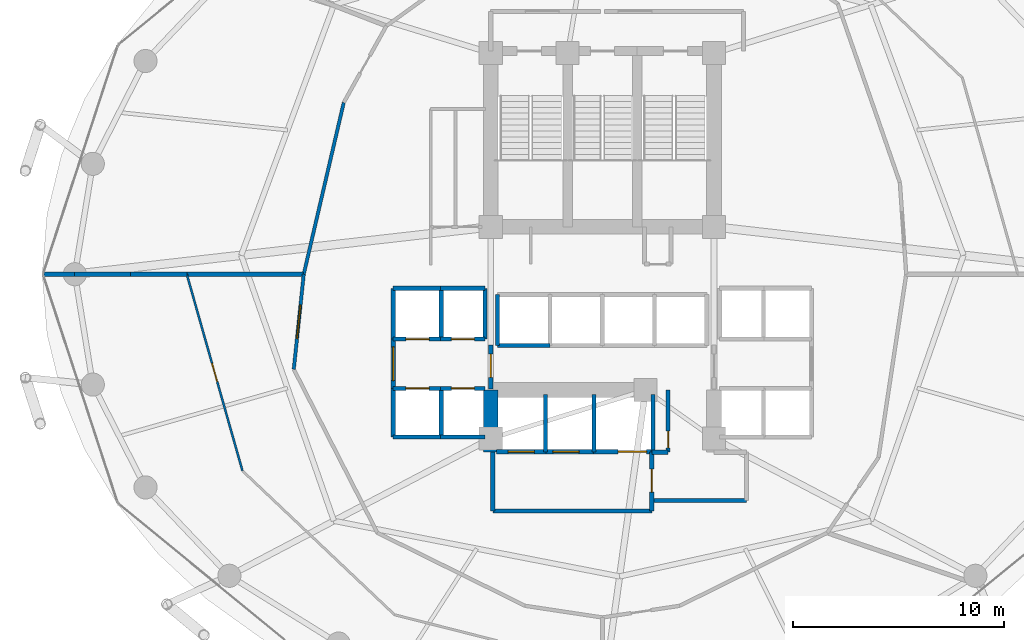
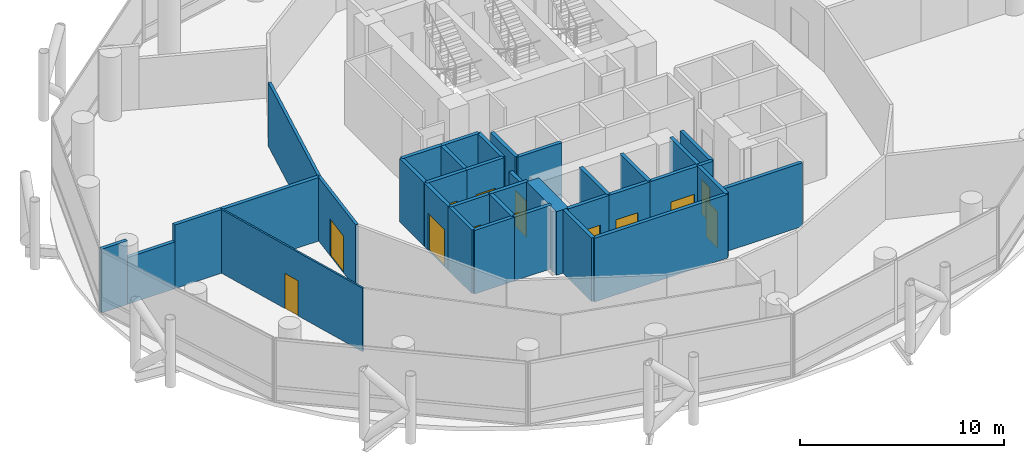
# One storey, part 21 of 24: 37 walls, 13 doors, 13 openings.
"""IFC4 building model written with IfcOpenShell, lengths in metres."""

import ifcopenshell
import ifcopenshell.guid

model = None  # the IFC model being written
_history = None  # IfcOwnerHistory: only IFC2X3 demands one
_inside = {}  # id of a spatial element -> (the spatial element, [elements in it])
_under = {}  # id of a project, library or spatial element -> (it, [spatial elements below it])
_declared = {}  # id of a project -> (the project, [libraries it declares])
_typed = {}  # id of a type object -> (the type object, [elements of that type])
_made_of = {}  # id of a material, layer set ... -> (it, [elements and type objects made of it])


def new_model(schema):
    """Start an empty IFC model of exactly this schema.

    Asked for "IFC4X3", IfcOpenShell would pick the latest addendum, in which some entities
    have other attributes; the version numbers below select the first issue.
    IFC2X3 requires an IfcOwnerHistory on every rooted entity: one is made here for all.
    """
    global model, _history
    if schema == "IFC4X3":
        model = ifcopenshell.file(schema_version=(4, 3, 0, 0))
    else:
        model = ifcopenshell.file(schema=schema)
    _inside.clear()
    _under.clear()
    _declared.clear()
    _typed.clear()
    _made_of.clear()
    _history = None
    if model.schema == "IFC2X3":
        org = make("IfcOrganization", Name="unknown")
        user = make(
            "IfcPersonAndOrganization",
            ThePerson=make("IfcPerson", FamilyName="unknown"),
            TheOrganization=org,
        )
        app = make(
            "IfcApplication",
            ApplicationDeveloper=org,
            Version="unknown",
            ApplicationFullName="unknown",
            ApplicationIdentifier="unknown",
        )
        _history = make(
            "IfcOwnerHistory",
            OwningUser=user,
            OwningApplication=app,
            ChangeAction="ADDED",
            CreationDate=0,
        )
    return model


def make(cls, **values):
    """One entity of the class cls with the attributes given. An attribute that is None is left unset."""
    return model.create_entity(
        cls, **{name: value for name, value in values.items() if value is not None}
    )


def rooted(cls, **values):
    """An entity with a GlobalId (a new one), such as an element, a storey or a relation."""
    return make(cls, GlobalId=ifcopenshell.guid.new(), OwnerHistory=_history, **values)


def si_unit(unit_type, name, prefix=None):
    """IfcSIUnit, for example si_unit("LENGTHUNIT", "METRE", prefix="MILLI")."""
    return make("IfcSIUnit", UnitType=unit_type, Prefix=prefix, Name=name)


def assignment(units):
    """IfcUnitAssignment: the units of a project."""
    return None if units is None else make("IfcUnitAssignment", Units=units)


def point(xyz):
    """IfcCartesianPoint."""
    return None if xyz is None else make("IfcCartesianPoint", Coordinates=xyz)


def direction(xyz):
    """IfcDirection."""
    return None if xyz is None else make("IfcDirection", DirectionRatios=xyz)


def frame(location, z_axis=None, x_axis=None):
    """IfcAxis2Placement3D, a coordinate frame: its origin and axes. An axis left out is left unset."""
    return make(
        "IfcAxis2Placement3D",
        Location=point(location),
        Axis=direction(z_axis),
        RefDirection=direction(x_axis),
    )


def frame_2d(location, x_axis=None):
    """IfcAxis2Placement2D, a coordinate frame in the plane: its origin and x axis."""
    return make(
        "IfcAxis2Placement2D", Location=point(location), RefDirection=direction(x_axis)
    )


def origin():
    """The frame at (0, 0, 0) with its axes left unset."""
    return frame((0.0, 0.0, 0.0))


def place(relative_to, where):
    """IfcLocalPlacement: puts the frame where relative to a parent placement (None: the world)."""
    return make(
        "IfcLocalPlacement", PlacementRelTo=relative_to, RelativePlacement=where
    )


def context(
    kind, dimensions, precision=None, world=None, true_north=None, identifier=None
):
    """IfcGeometricRepresentationContext, for example the 3D "Model" context."""
    return make(
        "IfcGeometricRepresentationContext",
        ContextIdentifier=identifier,
        ContextType=kind,
        CoordinateSpaceDimension=dimensions,
        Precision=precision,
        WorldCoordinateSystem=world,
        TrueNorth=true_north,
    )


def subcontext(parent, identifier, kind, view, scale=None):
    """IfcGeometricRepresentationSubContext, for example "Body" below "Model"."""
    return make(
        "IfcGeometricRepresentationSubContext",
        ContextIdentifier=identifier,
        ContextType=kind,
        ParentContext=parent,
        TargetScale=scale,
        TargetView=view,
    )


def project(units=None, contexts=None):
    """IfcProject with its units and contexts."""
    return rooted(
        "IfcProject",
        Name="project",
        RepresentationContexts=contexts,
        UnitsInContext=assignment(units),
    )


def spatial(cls, under=None, at=None, **own):
    """A site, building, storey or space (cls), placed at a placement, below another one or the project."""
    s = rooted(cls, ObjectPlacement=at, **own)
    if under is not None:
        _under.setdefault(under.id(), (under, []))[1].append(s)
    return s


def profile(cls, at=None, kind="AREA", **sizes):
    """A parametric profile (cls). Its sizes go by their IFC names, for example OverallWidth=200.0."""
    return make(cls, ProfileType=kind, Position=at, **sizes)


def rectangle(**sizes):
    """IfcRectangleProfileDef."""
    return profile("IfcRectangleProfileDef", **sizes)


def extrude(swept, where, along, depth):
    """IfcExtrudedAreaSolid: the profile swept, set in the frame where, extruded along a direction by depth."""
    return make(
        "IfcExtrudedAreaSolid",
        SweptArea=swept,
        Position=where,
        ExtrudedDirection=direction(along),
        Depth=depth,
    )


def shape(context_of_items, identifier, shape_type, items):
    """IfcShapeRepresentation: the items that make up one representation, for example the "Body"."""
    return make(
        "IfcShapeRepresentation",
        ContextOfItems=context_of_items,
        RepresentationIdentifier=identifier,
        RepresentationType=shape_type,
        Items=items,
    )


def material(Name=None, Category=None):
    """IfcMaterial."""
    return make("IfcMaterial", Name=Name, Category=Category)


def layer(
    of_material, thickness, ventilated=None, Name=None, Category=None, Priority=None
):
    """IfcMaterialLayer: one layer of a wall or slab, of a material (None: an air gap)."""
    return make(
        "IfcMaterialLayer",
        Material=of_material,
        LayerThickness=thickness,
        IsVentilated=ventilated,
        Name=Name,
        Category=Category,
        Priority=Priority,
    )


def layer_set(layers, Name=None):
    """IfcMaterialLayerSet."""
    return make("IfcMaterialLayerSet", MaterialLayers=layers, LayerSetName=Name)


def made_of(thing, what):
    """Note that an element or type object is made of a material, layer set ...; save() writes the relation."""
    if what is not None:
        _made_of.setdefault(what.id(), (what, []))[1].append(thing)
    return thing


def type_object(cls, material=None, **own):
    """A type object (cls), such as IfcWallType, which elements share."""
    return made_of(rooted(cls, **own), material)


def element(
    cls,
    number,
    at=None,
    inside=None,
    cuts=None,
    type_object=None,
    material=None,
    context=None,
    identifier="Body",
    shape_type=None,
    held_by="IfcProductDefinitionShape",
    body=None,
    shapes=None,
    **own,
):
    """One element of the class cls, such as IfcWall. Its Tag is "e" and its number.

    at: its placement. inside: the storey or other place that contains it. cuts: it is an
    opening in that element (IfcRelVoidsElement). A single representation is given by context,
    identifier, shape_type and body (its items); several are given by shapes. held_by: the class
    of the entity that holds the representations. save() writes the other relations.
    """
    e = rooted(cls, Tag="e%d" % number, ObjectPlacement=at, **own)
    if body is not None:
        shapes = [shape(context, identifier, shape_type, body)]
    if shapes is not None:
        e.Representation = make(held_by, Representations=shapes)
    if inside is not None:
        _inside.setdefault(inside.id(), (inside, []))[1].append(e)
    if cuts is not None:
        rooted(
            "IfcRelVoidsElement", RelatingBuildingElement=cuts, RelatedOpeningElement=e
        )
    if type_object is not None:
        _typed.setdefault(type_object.id(), (type_object, []))[1].append(e)
    return made_of(e, material)


def fill(opening, filler):
    """IfcRelFillsElement: the door or window that sits in an opening."""
    return rooted(
        "IfcRelFillsElement",
        RelatingOpeningElement=opening,
        RelatedBuildingElement=filler,
    )


def aggregate(whole, parts):
    """IfcRelAggregates: a whole, such as a stair, and the parts it consists of."""
    return rooted("IfcRelAggregates", RelatingObject=whole, RelatedObjects=parts)


def save(model, path):
    """Write the relations noted so far, then the file.

    IfcRelAggregates (storeys below a building ...), IfcRelContainedInSpatialStructure (elements
    in a storey), IfcRelDefinesByType, IfcRelAssociatesMaterial and IfcRelDeclares: one each for
    every whole, place, type object, material and project.
    """
    for whole, parts in _under.values():
        aggregate(whole, parts)
    for where, things in _inside.values():
        rooted(
            "IfcRelContainedInSpatialStructure",
            RelatedElements=things,
            RelatingStructure=where,
        )
    for kind, things in _typed.values():
        rooted("IfcRelDefinesByType", RelatedObjects=things, RelatingType=kind)
    for what, things in _made_of.values():
        rooted("IfcRelAssociatesMaterial", RelatedObjects=things, RelatingMaterial=what)
    for by, libraries in _declared.values():
        rooted("IfcRelDeclares", RelatingContext=by, RelatedDefinitions=libraries)
    model.write(path)


model = new_model("IFC4")

# Units and contexts
model_context = context("Model", 3, precision=1e-05, world=origin(), true_north=direction((0.0, 1.0)))
body_context = subcontext(model_context, "Body", "Model", "MODEL_VIEW")
ifc_project = project(units=[si_unit("LENGTHUNIT", "METRE"), si_unit("AREAUNIT", "SQUARE_METRE"), si_unit("VOLUMEUNIT", "CUBIC_METRE"), si_unit("PLANEANGLEUNIT", "RADIAN"), si_unit("MASSUNIT", "GRAM", prefix="KILO")], contexts=[model_context])

# Site, building, storey
site_placement = place(None, origin())
site = spatial("IfcSite", under=ifc_project, at=site_placement, CompositionType="ELEMENT")
building_placement = place(site_placement, origin())
building = spatial("IfcBuilding", under=site, at=building_placement, Name="Nuhasar Tower", CompositionType="ELEMENT")
storey_placement = place(building_placement, frame((0.0, 0.0, 73.64990234375)))
storey = spatial("IfcBuildingStorey", under=building, at=storey_placement, Name="L17", CompositionType="ELEMENT", Elevation=73.64990234375)

# Walls
ifc_material_1 = material(Name="Concrete C65/80", Category="concrete")
ifc_layer_1 = layer(ifc_material_1, 0.699951171875)
ifc_layer_set_1 = layer_set([ifc_layer_1], Name="Concrete C65/80")
wall_type_1 = type_object("IfcWallType", Name="WL-CORE-700", PredefinedType="SHEAR", material=ifc_layer_set_1)
wall_1_placement = place(storey_placement, frame((33.699951171875, 18.35009765625, 0.0), z_axis=(0.0, 0.0, 1.0), x_axis=(0.0, 1.0, 0.0)))
element("IfcWall", 1, at=wall_1_placement, inside=storey, type_object=wall_type_1, Name="L17 Core Shear Wall CW-SW CW-700", PredefinedType="SHEAR", context=body_context, shape_type="SweptSolid", body=[
    extrude(rectangle(XDim=2.949951171875, YDim=0.699951171875, at=frame_2d((1.47509765625, 0.0))), origin(), (0.0, 0.0, 1.0), 3.800048828125),
])
ifc_material_2 = material(Name="Gypsum Board", Category="gypsum")
ifc_layer_2 = layer(ifc_material_2, 0.159912109375)
ifc_layer_set_2 = layer_set([ifc_layer_2], Name="Gypsum Board")
wall_type_2 = type_object("IfcWallType", Name="WL-CORR-160", PredefinedType="PARTITIONING", material=ifc_layer_set_2)
wall_2_placement = place(storey_placement, frame((26.719970703125, 34.949951171875, 0.0), z_axis=(0.0, 0.0, 1.0), x_axis=(-0.227032248212, -0.973887241046, 0.0)))
element("IfcWall", 2, at=wall_2_placement, inside=storey, type_object=wall_type_2, Name="L17 Interior Partition CORR-20", PredefinedType="PARTITIONING", context=body_context, shape_type="SweptSolid", body=[
    extrude(rectangle(XDim=8.368408203125, YDim=0.159912109375, at=frame_2d((4.18408203125, 0.0))), origin(), (0.0, 0.0, 1.0), 3.800048828125),
])

# Wall, opening, door
wall_3_placement = place(storey_placement, frame((24.346923828125, 22.287109375, 0.0), z_axis=(0.0, 0.0, 1.0), x_axis=(0.10427027099, 0.994548998586, 0.0)))
wall_3 = element("IfcWall", 3, at=wall_3_placement, inside=storey, type_object=wall_type_2, Name="L17 Interior Partition CORR-24", PredefinedType="PARTITIONING", context=body_context, shape_type="SweptSolid", body=[
    extrude(rectangle(XDim=4.53759765625, YDim=0.159912109375, at=frame_2d((2.268798828125, 0.0))), origin(), (0.0, 0.0, 1.0), 3.800048828125),
])
opening_1_placement = place(wall_3_placement, frame((1.468994140625, 0.0, 0.0)))
opening_1 = element("IfcOpeningElement", 4, at=opening_1_placement, cuts=wall_3, Name="Opening DC-01", PredefinedType="OPENING", context=body_context, shape_type="SweptSolid", body=[
    extrude(rectangle(XDim=1.60009765625, YDim=2.199951171875, at=frame_2d((0.800048828125, 1.10009765625))), frame((0.0, 0.08984375, 0.0), z_axis=(0.0, -1.0, 0.0), x_axis=(1.0, 0.0, 0.0)), (0.0, 0.0, 1.0), 0.179931640625),
])
ifc_material_3 = material(Name="Steel S355", Category="steel")
door_type_1 = type_object("IfcDoorType", Name="DR-CORR-FD60-1600", OperationType="DOUBLE_DOOR_SINGLE_SWING", PredefinedType="DOOR", material=ifc_material_3)
door_1_placement = place(opening_1_placement, origin())
door_1 = element("IfcDoor", 5, at=door_1_placement, inside=storey, type_object=door_type_1, Name="L17 West Software Engineering Office Entry Door", OperationType="DOUBLE_DOOR_SINGLE_SWING", OverallHeight=2.199951171875, OverallWidth=1.60009765625, PredefinedType="DOOR", context=body_context, shape_type="SweptSolid", body=[
    extrude(rectangle(XDim=1.60009765625, YDim=2.199951171875, at=frame_2d((0.800048828125, 1.10009765625))), frame((0.0, 0.02490234375, 0.0), z_axis=(0.0, -1.0, 0.0), x_axis=(1.0, 0.0, 0.0)), (0.0, 0.0, 1.0), 0.050048828125),
])
fill(opening_1, door_1)

ifc_material_4 = material(Name="Concrete C45/55", Category="concrete")
ifc_layer_3 = layer(ifc_material_4, 0.199951171875)
ifc_layer_set_3 = layer_set([ifc_layer_3], Name="Concrete C45/55")
wall_type_3 = type_object("IfcWallType", Name="WL-LOBBY-200", PredefinedType="SOLIDWALL", material=ifc_layer_set_3)
wall_4_placement = place(storey_placement, frame((29.070068359375, 21.3798828125, 0.0), z_axis=(0.0, 0.0, 1.0), x_axis=(0.0, 1.0, 0.0)))
wall_4 = element("IfcWall", 6, at=wall_4_placement, inside=storey, type_object=wall_type_3, Name="L17 Interior Partition LLBL-W", PredefinedType="SOLIDWALL", context=body_context, shape_type="SweptSolid", body=[
    extrude(rectangle(XDim=2.340087890625, YDim=0.199951171875, at=frame_2d((1.169921875, 0.0))), origin(), (0.0, 0.0, 1.0), 3.800048828125),
])
opening_2_placement = place(wall_4_placement, frame((0.3701171875, 0.0, 0.0)))
opening_2 = element("IfcOpeningElement", 7, at=opening_2_placement, cuts=wall_4, Name="Opening DC-01", PredefinedType="OPENING", context=body_context, shape_type="SweptSolid", body=[
    extrude(rectangle(XDim=1.60009765625, YDim=2.199951171875, at=frame_2d((0.800048828125, 1.10009765625))), frame((0.0, 0.10986328125, 0.0), z_axis=(0.0, -1.0, 0.0), x_axis=(1.0, 0.0, 0.0)), (0.0, 0.0, 1.0), 0.219970703125),
])
door_2_placement = place(opening_2_placement, origin())
door_2 = element("IfcDoor", 8, at=door_2_placement, inside=storey, type_object=door_type_1, Name="L17 Low-Rise Lift Lobby West Entry", OperationType="DOUBLE_DOOR_SINGLE_SWING", OverallHeight=2.199951171875, OverallWidth=1.60009765625, PredefinedType="DOOR", context=body_context, shape_type="SweptSolid", body=[
    extrude(rectangle(XDim=1.60009765625, YDim=2.199951171875, at=frame_2d((0.800048828125, 1.10009765625))), frame((0.0, 0.02490234375, 0.0), z_axis=(0.0, -1.0, 0.0), x_axis=(1.0, 0.0, 0.0)), (0.0, 0.0, 1.0), 0.050048828125),
])
fill(opening_2, door_2)

wall_5_placement = place(storey_placement, frame((33.699951171875, 21.35009765625, 0.0), z_axis=(0.0, 0.0, 1.0), x_axis=(0.0, 1.0, 0.0)))
wall_5 = element("IfcWall", 9, at=wall_5_placement, inside=storey, type_object=wall_type_3, Name="L17 Interior Partition LLBH-W", PredefinedType="SOLIDWALL", context=body_context, shape_type="SweptSolid", body=[
    extrude(rectangle(XDim=2.099853515625, YDim=0.199951171875, at=frame_2d((1.0498046875, 0.0))), origin(), (0.0, 0.0, 1.0), 3.02001953125),
])
opening_3_placement = place(wall_5_placement, frame((0.550048828125, 0.0, 0.0)))
opening_3 = element("IfcOpeningElement", 10, at=opening_3_placement, cuts=wall_5, Name="Opening DS-02", PredefinedType="OPENING", context=body_context, shape_type="SweptSolid", body=[
    extrude(rectangle(XDim=1.10009765625, YDim=2.14990234375, at=frame_2d((0.550048828125, 1.074951171875))), frame((0.0, 0.10986328125, 0.0), z_axis=(0.0, -1.0, 0.0), x_axis=(1.0, 0.0, 0.0)), (0.0, 0.0, 1.0), 0.219970703125),
])
door_type_2 = type_object("IfcDoorType", Name="DR-FFL-FD120-1100", OperationType="NOTDEFINED", PredefinedType="DOOR", material=ifc_material_3)
door_3_placement = place(opening_3_placement, origin())
door_3 = element("IfcDoor", 11, at=door_3_placement, inside=storey, type_object=door_type_2, Name="L17 High-Rise Lobby West Door", OperationType="SINGLE_SWING_RIGHT", OverallHeight=2.14990234375, OverallWidth=1.10009765625, PredefinedType="DOOR", context=body_context, shape_type="SweptSolid", body=[
    extrude(rectangle(XDim=1.10009765625, YDim=2.14990234375, at=frame_2d((0.550048828125, 1.074951171875))), frame((0.0, 0.02490234375, 0.0), z_axis=(0.0, -1.0, 0.0), x_axis=(1.0, 0.0, 0.0)), (0.0, 0.0, 1.0), 0.050048828125),
])
fill(opening_3, door_3)

# Walls
wall_6_placement = place(storey_placement, frame((33.800048828125, 15.550048828125, 0.0), z_axis=(0.0, 0.0, 1.0), x_axis=(1.0, 0.0, 0.0)))
element("IfcWall", 12, at=wall_6_placement, inside=storey, type_object=wall_type_3, Name="L17 Interior Partition FFL-S", PredefinedType="SOLIDWALL", context=body_context, shape_type="SweptSolid", body=[
    extrude(rectangle(XDim=7.550048828125, YDim=0.199951171875, at=frame_2d((3.77490234375, 0.0))), origin(), (0.0, 0.0, 1.0), 3.800048828125),
])
wall_7_placement = place(storey_placement, frame((33.800048828125, 15.550048828125, 0.0), z_axis=(0.0, 0.0, 1.0), x_axis=(0.0, 1.0, 0.0)))
element("IfcWall", 13, at=wall_7_placement, inside=storey, type_object=wall_type_3, Name="L17 Interior Partition FFL-W", PredefinedType="SOLIDWALL", context=body_context, shape_type="SweptSolid", body=[
    extrude(rectangle(XDim=2.800048828125, YDim=0.199951171875, at=frame_2d((1.39990234375, 0.0))), origin(), (0.0, 0.0, 1.0), 3.800048828125),
])

# Wall, opening, door
wall_8_placement = place(storey_placement, frame((41.35009765625, 15.550048828125, 0.0), z_axis=(0.0, 0.0, 1.0), x_axis=(0.0, 1.0, 0.0)))
wall_8 = element("IfcWall", 14, at=wall_8_placement, inside=storey, type_object=wall_type_3, Name="L17 Interior Partition FFL-E", PredefinedType="SOLIDWALL", context=body_context, shape_type="SweptSolid", body=[
    extrude(rectangle(XDim=2.800048828125, YDim=0.199951171875, at=frame_2d((1.39990234375, 0.0))), origin(), (0.0, 0.0, 1.0), 3.800048828125),
])
opening_4_placement = place(wall_8_placement, frame((0.89990234375, 0.0, 0.0)))
opening_4 = element("IfcOpeningElement", 15, at=opening_4_placement, cuts=wall_8, Name="Opening DS-02", PredefinedType="OPENING", context=body_context, shape_type="SweptSolid", body=[
    extrude(rectangle(XDim=1.10009765625, YDim=2.14990234375, at=frame_2d((0.550048828125, 1.074951171875))), frame((0.0, 0.10986328125, 0.0), z_axis=(0.0, -1.0, 0.0), x_axis=(1.0, 0.0, 0.0)), (0.0, 0.0, 1.0), 0.219970703125),
])
door_4_placement = place(opening_4_placement, origin())
door_4 = element("IfcDoor", 16, at=door_4_placement, inside=storey, type_object=door_type_2, Name="L17 Firefighting Lobby Door", OperationType="SINGLE_SWING_RIGHT", OverallHeight=2.14990234375, OverallWidth=1.10009765625, PredefinedType="DOOR", context=body_context, shape_type="SweptSolid", body=[
    extrude(rectangle(XDim=1.10009765625, YDim=2.14990234375, at=frame_2d((0.550048828125, 1.074951171875))), frame((0.0, 0.02490234375, 0.0), z_axis=(0.0, -1.0, 0.0), x_axis=(1.0, 0.0, 0.0)), (0.0, 0.0, 1.0), 0.050048828125),
])
fill(opening_4, door_4)

# Wall
wall_9_placement = place(storey_placement, frame((41.35009765625, 16.050048828125, 0.0), z_axis=(0.0, 0.0, 1.0), x_axis=(1.0, 0.0, 0.0)))
element("IfcWall", 17, at=wall_9_placement, inside=storey, type_object=wall_type_3, Name="L17 Interior Partition SVLV-S", PredefinedType="SOLIDWALL", context=body_context, shape_type="SweptSolid", body=[
    extrude(rectangle(XDim=4.5, YDim=0.199951171875, at=frame_2d((2.25, 0.0))), origin(), (0.0, 0.0, 1.0), 3.800048828125),
])

# Wall, opening, door
ifc_material_5 = material(Name="Aluminium 6063-T6", Category="aluminium")
ifc_layer_4 = layer(ifc_material_5, 0.10009765625)
ifc_layer_set_4 = layer_set([ifc_layer_4], Name="Aluminium 6063-T6")
wall_type_4 = type_object("IfcWallType", Name="WL-MOVABLE-100", PredefinedType="MOVABLE", material=ifc_layer_set_4)
wall_10_placement = place(storey_placement, frame((21.909912109375, 17.465087890625, 0.0), z_axis=(0.0, 0.0, 1.0), x_axis=(-0.272496972851, 0.962156639943, 0.0)))
wall_10 = element("IfcWall", 18, at=wall_10_placement, inside=storey, type_object=wall_type_4, Name="L17 Interior Partition OMID-04-24", PredefinedType="MOVABLE", context=body_context, shape_type="SweptSolid", body=[
    extrude(rectangle(XDim=9.7021484375, YDim=0.10009765625, at=frame_2d((4.85107421875, 0.0))), origin(), (0.0, 0.0, 1.0), 3.800048828125),
])
opening_5_placement = place(wall_10_placement, frame((4.40087890625, 0.0, 0.0)))
opening_5 = element("IfcOpeningElement", 19, at=opening_5_placement, cuts=wall_10, Name="Opening DR-01", PredefinedType="OPENING", context=body_context, shape_type="SweptSolid", body=[
    extrude(rectangle(XDim=0.89990234375, YDim=2.10009765625, at=frame_2d((0.449951171875, 1.050048828125))), frame((0.0, 0.06005859375, 0.0), z_axis=(0.0, -1.0, 0.0), x_axis=(1.0, 0.0, 0.0)), (0.0, 0.0, 1.0), 0.1201171875),
])
ifc_material_6 = material(Name="Timber Oak", Category="wood")
door_type_3 = type_object("IfcDoorType", Name="DR-ROOM-900", OperationType="NOTDEFINED", PredefinedType="DOOR", material=ifc_material_6)
door_5_placement = place(opening_5_placement, origin())
door_5 = element("IfcDoor", 20, at=door_5_placement, inside=storey, type_object=door_type_3, Name="L17 West Software Engineering Office Inner Door", OperationType="SINGLE_SWING_RIGHT", OverallHeight=2.10009765625, OverallWidth=0.89990234375, PredefinedType="DOOR", context=body_context, shape_type="SweptSolid", body=[
    extrude(rectangle(XDim=0.89990234375, YDim=2.10009765625, at=frame_2d((0.449951171875, 1.050048828125))), frame((0.0, 0.02490234375, 0.0), z_axis=(0.0, -1.0, 0.0), x_axis=(1.0, 0.0, 0.0)), (0.0, 0.0, 1.0), 0.050048828125),
])
fill(opening_5, door_5)

ifc_layer_5 = layer(ifc_material_4, 0.199951171875)
ifc_layer_set_5 = layer_set([ifc_layer_5], Name="Concrete C45/55")
wall_type_5 = type_object("IfcWallType", Name="WL-SHAFT-200", PredefinedType="SOLIDWALL", material=ifc_layer_set_5)
wall_11_placement = place(storey_placement, frame((29.070068359375, 23.719970703125, 0.0), z_axis=(0.0, 0.0, 1.0), x_axis=(1.0, 0.0, 0.0)))
wall_11 = element("IfcWall", 21, at=wall_11_placement, inside=storey, type_object=wall_type_5, Name="L17 Interior Partition SHF-PL-L01-S", PredefinedType="SOLIDWALL", context=body_context, shape_type="SweptSolid", body=[
    extrude(rectangle(XDim=2.309814453125, YDim=0.199951171875, at=frame_2d((1.15478515625, 0.0))), origin(), (0.0, 0.0, 1.0), 3.800048828125),
])
opening_6_placement = place(wall_11_placement, frame((0.60498046875, 0.0, 0.0)))
opening_6 = element("IfcOpeningElement", 22, at=opening_6_placement, cuts=wall_11, Name="Opening LD-L01", PredefinedType="OPENING", context=body_context, shape_type="SweptSolid", body=[
    extrude(rectangle(XDim=1.10009765625, YDim=2.14990234375, at=frame_2d((0.550048828125, 1.074951171875))), frame((0.0, 0.10986328125, 0.0), z_axis=(0.0, -1.0, 0.0), x_axis=(1.0, 0.0, 0.0)), (0.0, 0.0, 1.0), 0.219970703125),
])
ifc_material_7 = material(Name="Stainless Steel 316L", Category="steel")
door_type_4 = type_object("IfcDoorType", Name="LD-PAX-1100", OperationType="DOUBLE_DOOR_SLIDING", PredefinedType="DOOR", material=ifc_material_7)
door_6_placement = place(opening_6_placement, origin())
door_6 = element("IfcDoor", 23, at=door_6_placement, inside=storey, type_object=door_type_4, Name="L17 Lift Landing Door PL-L01", OperationType="DOUBLE_DOOR_SLIDING", OverallHeight=2.14990234375, OverallWidth=1.10009765625, PredefinedType="DOOR", context=body_context, shape_type="SweptSolid", body=[
    extrude(rectangle(XDim=1.10009765625, YDim=2.14990234375, at=frame_2d((0.550048828125, 1.074951171875))), frame((0.0, 0.02490234375, 0.0), z_axis=(0.0, -1.0, 0.0), x_axis=(1.0, 0.0, 0.0)), (0.0, 0.0, 1.0), 0.050048828125),
])
fill(opening_6, door_6)

# Walls
wall_12_placement = place(storey_placement, frame((29.070068359375, 26.1298828125, 0.0), z_axis=(0.0, 0.0, 1.0), x_axis=(1.0, 0.0, 0.0)))
element("IfcWall", 24, at=wall_12_placement, inside=storey, type_object=wall_type_5, Name="L17 Interior Partition SHF-PL-L01-N", PredefinedType="SOLIDWALL", context=body_context, shape_type="SweptSolid", body=[
    extrude(rectangle(XDim=2.309814453125, YDim=0.199951171875, at=frame_2d((1.15478515625, 0.0))), origin(), (0.0, 0.0, 1.0), 3.800048828125),
])
for number, where, z_axis, x_axis, name in (
    (25, (29.070068359375, 23.719970703125, 0.0), (0.0, 0.0, 1.0), (0.0, 1.0, 0.0), "L17 Interior Partition SHF-PL-L01-W"),
    (26, (31.35009765625, 23.719970703125, 0.0), (0.0, 0.0, 1.0), (0.0, 1.0, 0.0), "L17 Interior Partition SHF-PL-L01-E"),
):
    element("IfcWall", number, at=place(storey_placement, frame(where, z_axis=z_axis, x_axis=x_axis)), inside=storey, type_object=wall_type_5, Name=name, PredefinedType="SOLIDWALL", context=body_context, shape_type="SweptSolid", body=[
        extrude(rectangle(XDim=2.409912109375, YDim=0.199951171875, at=frame_2d((1.205078125, 0.0))), origin(), (0.0, 0.0, 1.0), 3.800048828125),
    ])

# Wall, opening, door
wall_13_placement = place(storey_placement, frame((31.320068359375, 23.719970703125, 0.0), z_axis=(0.0, 0.0, 1.0), x_axis=(1.0, 0.0, 0.0)))
wall_13 = element("IfcWall", 27, at=wall_13_placement, inside=storey, type_object=wall_type_5, Name="L17 Interior Partition SHF-PL-L02-S", PredefinedType="SOLIDWALL", context=body_context, shape_type="SweptSolid", body=[
    extrude(rectangle(XDim=2.10986328125, YDim=0.199951171875, at=frame_2d((1.054931640625, 0.0))), origin(), (0.0, 0.0, 1.0), 3.800048828125),
])
opening_7_placement = place(wall_13_placement, frame((0.5048828125, 0.0, 0.0)))
opening_7 = element("IfcOpeningElement", 28, at=opening_7_placement, cuts=wall_13, Name="Opening LD-L02", PredefinedType="OPENING", context=body_context, shape_type="SweptSolid", body=[
    extrude(rectangle(XDim=1.10009765625, YDim=2.14990234375, at=frame_2d((0.550048828125, 1.074951171875))), frame((0.0, 0.10986328125, 0.0), z_axis=(0.0, -1.0, 0.0), x_axis=(1.0, 0.0, 0.0)), (0.0, 0.0, 1.0), 0.219970703125),
])
door_7_placement = place(opening_7_placement, origin())
door_7 = element("IfcDoor", 29, at=door_7_placement, inside=storey, type_object=door_type_4, Name="L17 Lift Landing Door PL-L02", OperationType="DOUBLE_DOOR_SLIDING", OverallHeight=2.14990234375, OverallWidth=1.10009765625, PredefinedType="DOOR", context=body_context, shape_type="SweptSolid", body=[
    extrude(rectangle(XDim=1.10009765625, YDim=2.14990234375, at=frame_2d((0.550048828125, 1.074951171875))), frame((0.0, 0.02490234375, 0.0), z_axis=(0.0, -1.0, 0.0), x_axis=(1.0, 0.0, 0.0)), (0.0, 0.0, 1.0), 0.050048828125),
])
fill(opening_7, door_7)

# Walls
wall_14_placement = place(storey_placement, frame((31.320068359375, 26.1298828125, 0.0), z_axis=(0.0, 0.0, 1.0), x_axis=(1.0, 0.0, 0.0)))
element("IfcWall", 30, at=wall_14_placement, inside=storey, type_object=wall_type_5, Name="L17 Interior Partition SHF-PL-L02-N", PredefinedType="SOLIDWALL", context=body_context, shape_type="SweptSolid", body=[
    extrude(rectangle(XDim=2.10986328125, YDim=0.199951171875, at=frame_2d((1.054931640625, 0.0))), origin(), (0.0, 0.0, 1.0), 3.800048828125),
])
wall_15_placement = place(storey_placement, frame((33.429931640625, 23.719970703125, 0.0), z_axis=(0.0, 0.0, 1.0), x_axis=(0.0, 1.0, 0.0)))
element("IfcWall", 31, at=wall_15_placement, inside=storey, type_object=wall_type_5, Name="L17 Interior Partition SHF-PL-L02-E", PredefinedType="SOLIDWALL", context=body_context, shape_type="SweptSolid", body=[
    extrude(rectangle(XDim=2.409912109375, YDim=0.199951171875, at=frame_2d((1.205078125, 0.0))), origin(), (0.0, 0.0, 1.0), 3.800048828125),
])
wall_16_placement = place(storey_placement, frame((29.070068359375, 19.070068359375, 0.0), z_axis=(0.0, 0.0, 1.0), x_axis=(1.0, 0.0, 0.0)))
element("IfcWall", 32, at=wall_16_placement, inside=storey, type_object=wall_type_5, Name="L17 Interior Partition SHF-PL-L03-S", PredefinedType="SOLIDWALL", context=body_context, shape_type="SweptSolid", body=[
    extrude(rectangle(XDim=2.309814453125, YDim=0.199951171875, at=frame_2d((1.15478515625, 0.0))), origin(), (0.0, 0.0, 1.0), 3.800048828125),
])

# Wall, opening, door
wall_17_placement = place(storey_placement, frame((29.070068359375, 21.3798828125, 0.0), z_axis=(0.0, 0.0, 1.0), x_axis=(1.0, 0.0, 0.0)))
wall_17 = element("IfcWall", 33, at=wall_17_placement, inside=storey, type_object=wall_type_5, Name="L17 Interior Partition SHF-PL-L03-N", PredefinedType="SOLIDWALL", context=body_context, shape_type="SweptSolid", body=[
    extrude(rectangle(XDim=2.309814453125, YDim=0.199951171875, at=frame_2d((1.15478515625, 0.0))), origin(), (0.0, 0.0, 1.0), 3.800048828125),
])
opening_8_placement = place(wall_17_placement, frame((0.60498046875, 0.0, 0.0)))
opening_8 = element("IfcOpeningElement", 34, at=opening_8_placement, cuts=wall_17, Name="Opening LD-L03", PredefinedType="OPENING", context=body_context, shape_type="SweptSolid", body=[
    extrude(rectangle(XDim=1.10009765625, YDim=2.14990234375, at=frame_2d((0.550048828125, 1.074951171875))), frame((0.0, 0.10986328125, 0.0), z_axis=(0.0, -1.0, 0.0), x_axis=(1.0, 0.0, 0.0)), (0.0, 0.0, 1.0), 0.219970703125),
])
door_8_placement = place(opening_8_placement, origin())
door_8 = element("IfcDoor", 35, at=door_8_placement, inside=storey, type_object=door_type_4, Name="L17 Lift Landing Door PL-L03", OperationType="DOUBLE_DOOR_SLIDING", OverallHeight=2.14990234375, OverallWidth=1.10009765625, PredefinedType="DOOR", context=body_context, shape_type="SweptSolid", body=[
    extrude(rectangle(XDim=1.10009765625, YDim=2.14990234375, at=frame_2d((0.550048828125, 1.074951171875))), frame((0.0, 0.02490234375, 0.0), z_axis=(0.0, -1.0, 0.0), x_axis=(1.0, 0.0, 0.0)), (0.0, 0.0, 1.0), 0.050048828125),
])
fill(opening_8, door_8)

# Walls
for number, where, z_axis, x_axis, name in (
    (36, (29.070068359375, 19.070068359375, 0.0), (0.0, 0.0, 1.0), (0.0, 1.0, 0.0), "L17 Interior Partition SHF-PL-L03-W"),
    (37, (31.35009765625, 19.070068359375, 0.0), (0.0, 0.0, 1.0), (0.0, 1.0, 0.0), "L17 Interior Partition SHF-PL-L03-E"),
):
    element("IfcWall", number, at=place(storey_placement, frame(where, z_axis=z_axis, x_axis=x_axis)), inside=storey, type_object=wall_type_5, Name=name, PredefinedType="SOLIDWALL", context=body_context, shape_type="SweptSolid", body=[
        extrude(rectangle(XDim=2.309814453125, YDim=0.199951171875, at=frame_2d((1.15478515625, 0.0))), origin(), (0.0, 0.0, 1.0), 3.800048828125),
    ])
wall_18_placement = place(storey_placement, frame((31.320068359375, 19.070068359375, 0.0), z_axis=(0.0, 0.0, 1.0), x_axis=(1.0, 0.0, 0.0)))
element("IfcWall", 38, at=wall_18_placement, inside=storey, type_object=wall_type_5, Name="L17 Interior Partition SHF-PL-L04-S", PredefinedType="SOLIDWALL", context=body_context, shape_type="SweptSolid", body=[
    extrude(rectangle(XDim=2.10986328125, YDim=0.199951171875, at=frame_2d((1.054931640625, 0.0))), origin(), (0.0, 0.0, 1.0), 3.800048828125),
])

# Wall, opening, door
wall_19_placement = place(storey_placement, frame((31.320068359375, 21.3798828125, 0.0), z_axis=(0.0, 0.0, 1.0), x_axis=(1.0, 0.0, 0.0)))
wall_19 = element("IfcWall", 39, at=wall_19_placement, inside=storey, type_object=wall_type_5, Name="L17 Interior Partition SHF-PL-L04-N", PredefinedType="SOLIDWALL", context=body_context, shape_type="SweptSolid", body=[
    extrude(rectangle(XDim=2.10986328125, YDim=0.199951171875, at=frame_2d((1.054931640625, 0.0))), origin(), (0.0, 0.0, 1.0), 3.800048828125),
])
opening_9_placement = place(wall_19_placement, frame((0.5048828125, 0.0, 0.0)))
opening_9 = element("IfcOpeningElement", 40, at=opening_9_placement, cuts=wall_19, Name="Opening LD-L04", PredefinedType="OPENING", context=body_context, shape_type="SweptSolid", body=[
    extrude(rectangle(XDim=1.10009765625, YDim=2.14990234375, at=frame_2d((0.550048828125, 1.074951171875))), frame((0.0, 0.10986328125, 0.0), z_axis=(0.0, -1.0, 0.0), x_axis=(1.0, 0.0, 0.0)), (0.0, 0.0, 1.0), 0.219970703125),
])
door_9_placement = place(opening_9_placement, origin())
door_9 = element("IfcDoor", 41, at=door_9_placement, inside=storey, type_object=door_type_4, Name="L17 Lift Landing Door PL-L04", OperationType="DOUBLE_DOOR_SLIDING", OverallHeight=2.14990234375, OverallWidth=1.10009765625, PredefinedType="DOOR", context=body_context, shape_type="SweptSolid", body=[
    extrude(rectangle(XDim=1.10009765625, YDim=2.14990234375, at=frame_2d((0.550048828125, 1.074951171875))), frame((0.0, 0.02490234375, 0.0), z_axis=(0.0, -1.0, 0.0), x_axis=(1.0, 0.0, 0.0)), (0.0, 0.0, 1.0), 0.050048828125),
])
fill(opening_9, door_9)

# Walls
wall_20_placement = place(storey_placement, frame((34.02001953125, 23.419921875, 0.0), z_axis=(0.0, 0.0, 1.0), x_axis=(1.0, 0.0, 0.0)))
element("IfcWall", 42, at=wall_20_placement, inside=storey, type_object=wall_type_5, Name="L17 Interior Partition SHF-PL-H01-S", PredefinedType="SOLIDWALL", context=body_context, shape_type="SweptSolid", body=[
    extrude(rectangle(XDim=2.5, YDim=0.199951171875, at=frame_2d((1.25, 0.0))), origin(), (0.0, 0.0, 1.0), 3.800048828125),
])
wall_21_placement = place(storey_placement, frame((34.02001953125, 23.419921875, 0.0), z_axis=(0.0, 0.0, 1.0), x_axis=(0.0, 1.0, 0.0)))
element("IfcWall", 43, at=wall_21_placement, inside=storey, type_object=wall_type_5, Name="L17 Interior Partition SHF-PL-H01-W", PredefinedType="SOLIDWALL", context=body_context, shape_type="SweptSolid", body=[
    extrude(rectangle(XDim=2.41015625, YDim=0.199951171875, at=frame_2d((1.205078125, 0.0))), origin(), (0.0, 0.0, 1.0), 3.800048828125),
])

# Wall, opening, door
wall_22_placement = place(storey_placement, frame((33.969970703125, 18.3701171875, 0.0), z_axis=(0.0, 0.0, 1.0), x_axis=(1.0, 0.0, 0.0)))
wall_22 = element("IfcWall", 44, at=wall_22_placement, inside=storey, type_object=wall_type_5, Name="L17 Interior Partition SHF-FFL-01-S", PredefinedType="SOLIDWALL", context=body_context, shape_type="SweptSolid", body=[
    extrude(rectangle(XDim=2.360107421875, YDim=0.199951171875, at=frame_2d((1.18017578125, 0.0))), origin(), (0.0, 0.0, 1.0), 3.800048828125),
])
opening_10_placement = place(wall_22_placement, frame((0.554931640625, 0.0, 0.0)))
opening_10 = element("IfcOpeningElement", 45, at=opening_10_placement, cuts=wall_22, Name="Opening LD-F01", PredefinedType="OPENING", context=body_context, shape_type="SweptSolid", body=[
    extrude(rectangle(XDim=1.25, YDim=2.199951171875, at=frame_2d((0.625, 1.10009765625))), frame((0.0, 0.10986328125, 0.0), z_axis=(0.0, -1.0, 0.0), x_axis=(1.0, 0.0, 0.0)), (0.0, 0.0, 1.0), 0.219970703125),
])
door_type_5 = type_object("IfcDoorType", Name="LD-FFL-1250", OperationType="DOUBLE_DOOR_SLIDING", PredefinedType="DOOR", material=ifc_material_7)
door_10_placement = place(opening_10_placement, origin())
door_10 = element("IfcDoor", 46, at=door_10_placement, inside=storey, type_object=door_type_5, Name="L17 Lift Landing Door FFL-01", OperationType="DOUBLE_DOOR_SLIDING", OverallHeight=2.199951171875, OverallWidth=1.25, PredefinedType="DOOR", context=body_context, shape_type="SweptSolid", body=[
    extrude(rectangle(XDim=1.25, YDim=2.199951171875, at=frame_2d((0.625, 1.10009765625))), frame((0.0, 0.02490234375, 0.0), z_axis=(0.0, -1.0, 0.0), x_axis=(1.0, 0.0, 0.0)), (0.0, 0.0, 1.0), 0.050048828125),
])
fill(opening_10, door_10)

# Wall
wall_23_placement = place(storey_placement, frame((36.300048828125, 18.3701171875, 0.0), z_axis=(0.0, 0.0, 1.0), x_axis=(0.0, 1.0, 0.0)))
element("IfcWall", 47, at=wall_23_placement, inside=storey, type_object=wall_type_5, Name="L17 Interior Partition SHF-FFL-01-E", PredefinedType="SOLIDWALL", context=body_context, shape_type="SweptSolid", body=[
    extrude(rectangle(XDim=2.7099609375, YDim=0.199951171875, at=frame_2d((1.35498046875, 0.0))), origin(), (0.0, 0.0, 1.0), 3.800048828125),
])

# Wall, opening, door
wall_24_placement = place(storey_placement, frame((36.27001953125, 18.3701171875, 0.0), z_axis=(0.0, 0.0, 1.0), x_axis=(1.0, 0.0, 0.0)))
wall_24 = element("IfcWall", 48, at=wall_24_placement, inside=storey, type_object=wall_type_5, Name="L17 Interior Partition SHF-FFL-02-S", PredefinedType="SOLIDWALL", context=body_context, shape_type="SweptSolid", body=[
    extrude(rectangle(XDim=2.35986328125, YDim=0.199951171875, at=frame_2d((1.179931640625, 0.0))), origin(), (0.0, 0.0, 1.0), 3.800048828125),
])
opening_11_placement = place(wall_24_placement, frame((0.3798828125, 0.0, 0.0)))
opening_11 = element("IfcOpeningElement", 49, at=opening_11_placement, cuts=wall_24, Name="Opening LD-F02", PredefinedType="OPENING", context=body_context, shape_type="SweptSolid", body=[
    extrude(rectangle(XDim=1.25, YDim=2.199951171875, at=frame_2d((0.625, 1.10009765625))), frame((0.0, 0.10986328125, 0.0), z_axis=(0.0, -1.0, 0.0), x_axis=(1.0, 0.0, 0.0)), (0.0, 0.0, 1.0), 0.219970703125),
])
door_11_placement = place(opening_11_placement, origin())
door_11 = element("IfcDoor", 50, at=door_11_placement, inside=storey, type_object=door_type_5, Name="L17 Lift Landing Door FFL-02", OperationType="DOUBLE_DOOR_SLIDING", OverallHeight=2.199951171875, OverallWidth=1.25, PredefinedType="DOOR", context=body_context, shape_type="SweptSolid", body=[
    extrude(rectangle(XDim=1.25, YDim=2.199951171875, at=frame_2d((0.625, 1.10009765625))), frame((0.0, 0.02490234375, 0.0), z_axis=(0.0, -1.0, 0.0), x_axis=(1.0, 0.0, 0.0)), (0.0, 0.0, 1.0), 0.050048828125),
])
fill(opening_11, door_11)

# Wall
wall_25_placement = place(storey_placement, frame((38.60009765625, 18.3701171875, 0.0), z_axis=(0.0, 0.0, 1.0), x_axis=(0.0, 1.0, 0.0)))
element("IfcWall", 51, at=wall_25_placement, inside=storey, type_object=wall_type_5, Name="L17 Interior Partition SHF-FFL-02-E", PredefinedType="SOLIDWALL", context=body_context, shape_type="SweptSolid", body=[
    extrude(rectangle(XDim=2.7099609375, YDim=0.199951171875, at=frame_2d((1.35498046875, 0.0))), origin(), (0.0, 0.0, 1.0), 3.800048828125),
])

# Wall, opening, door
wall_26_placement = place(storey_placement, frame((38.570068359375, 18.3701171875, 0.0), z_axis=(0.0, 0.0, 1.0), x_axis=(1.0, 0.0, 0.0)))
wall_26 = element("IfcWall", 52, at=wall_26_placement, inside=storey, type_object=wall_type_5, Name="L17 Interior Partition SHF-SVL-01-S", PredefinedType="SOLIDWALL", context=body_context, shape_type="SweptSolid", body=[
    extrude(rectangle(XDim=2.829833984375, YDim=0.199951171875, at=frame_2d((1.4150390625, 0.0))), origin(), (0.0, 0.0, 1.0), 3.800048828125),
])
opening_12_placement = place(wall_26_placement, frame((1.179931640625, 0.0, 0.0)))
opening_12 = element("IfcOpeningElement", 53, at=opening_12_placement, cuts=wall_26, Name="Opening LD-S01", PredefinedType="OPENING", context=body_context, shape_type="SweptSolid", body=[
    extrude(rectangle(XDim=1.35009765625, YDim=2.179931640625, at=frame_2d((0.675048828125, 1.08984375))), frame((0.0, 0.10986328125, 0.0), z_axis=(0.0, -1.0, 0.0), x_axis=(1.0, 0.0, 0.0)), (0.0, 0.0, 1.0), 0.219970703125),
])
door_type_6 = type_object("IfcDoorType", Name="LD-SVL-1350", OperationType="DOUBLE_DOOR_SLIDING", PredefinedType="DOOR", material=ifc_material_7)
door_12_placement = place(opening_12_placement, origin())
door_12 = element("IfcDoor", 54, at=door_12_placement, inside=storey, type_object=door_type_6, Name="L17 Lift Landing Door SVL-01", OperationType="DOUBLE_DOOR_SLIDING", OverallHeight=2.179931640625, OverallWidth=1.35009765625, PredefinedType="DOOR", context=body_context, shape_type="SweptSolid", body=[
    extrude(rectangle(XDim=1.35009765625, YDim=2.179931640625, at=frame_2d((0.675048828125, 1.08984375))), frame((0.0, 0.02490234375, 0.0), z_axis=(0.0, -1.0, 0.0), x_axis=(1.0, 0.0, 0.0)), (0.0, 0.0, 1.0), 0.050048828125),
])
fill(opening_12, door_12)

# Wall
wall_27_placement = place(storey_placement, frame((41.39990234375, 18.3701171875, 0.0), z_axis=(0.0, 0.0, 1.0), x_axis=(0.0, 1.0, 0.0)))
element("IfcWall", 55, at=wall_27_placement, inside=storey, type_object=wall_type_5, Name="L17 Interior Partition SHF-SVL-01-E", PredefinedType="SOLIDWALL", context=body_context, shape_type="SweptSolid", body=[
    extrude(rectangle(XDim=2.7099609375, YDim=0.199951171875, at=frame_2d((1.35498046875, 0.0))), origin(), (0.0, 0.0, 1.0), 3.800048828125),
])

# Wall, opening, door
wall_28_placement = place(storey_placement, frame((42.1201171875, 18.35009765625, 0.0), z_axis=(0.0, 0.0, 1.0), x_axis=(0.0, 1.0, 0.0)))
wall_28 = element("IfcWall", 56, at=wall_28_placement, inside=storey, type_object=wall_type_5, Name="L17 Interior Partition RSR-E", PredefinedType="SOLIDWALL", context=body_context, shape_type="SweptSolid", body=[
    extrude(rectangle(XDim=2.949951171875, YDim=0.199951171875, at=frame_2d((1.47509765625, 0.0))), origin(), (0.0, 0.0, 1.0), 3.800048828125),
])
opening_13_placement = place(wall_28_placement, frame((0.199951171875, 0.0, 0.0)))
opening_13 = element("IfcOpeningElement", 57, at=opening_13_placement, cuts=wall_28, Name="Opening DM-01", PredefinedType="OPENING", context=body_context, shape_type="SweptSolid", body=[
    extrude(rectangle(XDim=0.800048828125, YDim=2.050048828125, at=frame_2d((0.39990234375, 1.02490234375))), frame((0.0, 0.10986328125, 0.0), z_axis=(0.0, -1.0, 0.0), x_axis=(1.0, 0.0, 0.0)), (0.0, 0.0, 1.0), 0.219970703125),
])
door_type_7 = type_object("IfcDoorType", Name="DR-RISER-FD60-800", OperationType="NOTDEFINED", PredefinedType="DOOR", material=ifc_material_3)
door_13_placement = place(opening_13_placement, origin())
door_13 = element("IfcDoor", 58, at=door_13_placement, inside=storey, type_object=door_type_7, Name="L17 MEP Riser Access Door", OperationType="SINGLE_SWING_LEFT", OverallHeight=2.050048828125, OverallWidth=0.800048828125, PredefinedType="DOOR", context=body_context, shape_type="SweptSolid", body=[
    extrude(rectangle(XDim=0.800048828125, YDim=2.050048828125, at=frame_2d((0.39990234375, 1.02490234375))), frame((0.0, 0.02490234375, 0.0), z_axis=(0.0, -1.0, 0.0), x_axis=(1.0, 0.0, 0.0)), (0.0, 0.0, 1.0), 0.050048828125),
])
fill(opening_13, door_13)

# Walls
wall_29_placement = place(storey_placement, frame((41.35009765625, 18.35009765625, 0.0), z_axis=(0.0, 0.0, 1.0), x_axis=(1.0, 0.0, 0.0)))
element("IfcWall", 59, at=wall_29_placement, inside=storey, type_object=wall_type_5, Name="L17 Interior Partition RSR-S", PredefinedType="SOLIDWALL", context=body_context, shape_type="SweptSolid", body=[
    extrude(rectangle(XDim=0.77001953125, YDim=0.199951171875, at=frame_2d((0.385009765625, 0.0))), origin(), (0.0, 0.0, 1.0), 3.800048828125),
])
ifc_material_8 = material(Name="Concrete C40/50 precast", Category="concrete")
ifc_layer_6 = layer(ifc_material_8, 0.199951171875)
ifc_layer_set_6 = layer_set([ifc_layer_6], Name="Concrete C40/50 precast")
wall_type_6 = type_object("IfcWallType", Name="WL-UNIT-200", PredefinedType="PARTITIONING", material=ifc_layer_set_6)
wall_30_placement = place(storey_placement, frame((24.820068359375, 26.800048828125, 0.0), z_axis=(0.0, 0.0, 1.0), x_axis=(-1.0, 0.0, 0.0)))
element("IfcWall", 60, at=wall_30_placement, inside=storey, type_object=wall_type_6, Name="L17 Interior Partition ORAD-24-S1", PredefinedType="PARTITIONING", context=body_context, shape_type="SweptSolid", body=[
    extrude(rectangle(XDim=5.553955078125, YDim=0.199951171875, at=frame_2d((2.77685546875, 0.0))), origin(), (0.0, 0.0, 1.0), 3.800048828125),
])
wall_31_placement = place(storey_placement, frame((19.26611328125, 26.800048828125, 0.0), z_axis=(0.0, 0.0, 1.0), x_axis=(-1.0, 0.0, 0.0)))
element("IfcWall", 61, at=wall_31_placement, inside=storey, type_object=wall_type_6, Name="L17 Interior Partition ORAD-24-S2", PredefinedType="PARTITIONING", context=body_context, shape_type="SweptSolid", body=[
    extrude(rectangle(XDim=2.6669921875, YDim=0.199951171875, at=frame_2d((1.33349609375, 0.0))), origin(), (0.0, 0.0, 1.0), 3.800048828125),
])
wall_32_placement = place(storey_placement, frame((16.59912109375, 26.800048828125, 0.0), z_axis=(0.0, 0.0, 1.0), x_axis=(-1.0, 0.0, 0.0)))
element("IfcWall", 62, at=wall_32_placement, inside=storey, type_object=wall_type_6, Name="L17 Interior Partition ORAD-24-S2", PredefinedType="PARTITIONING", context=body_context, shape_type="SweptSolid", body=[
    extrude(rectangle(XDim=2.66015625, YDim=0.199951171875, at=frame_2d((1.330078125, 0.0))), origin(), (0.0, 0.0, 1.0), 2.7900390625),
])
wall_33_placement = place(storey_placement, frame((13.93896484375, 26.800048828125, 0.0), z_axis=(0.0, 0.0, 1.0), x_axis=(-1.0, 0.0, 0.0)))
element("IfcWall", 63, at=wall_33_placement, inside=storey, type_object=wall_type_6, Name="L17 Interior Partition ORAD-24-S2", PredefinedType="PARTITIONING", context=body_context, shape_type="SweptSolid", body=[
    extrude(rectangle(XDim=1.4638671875, YDim=0.199951171875, at=frame_2d((0.73193359375, 0.0))), origin(), (0.0, 0.0, 1.0), 3.800048828125),
])

save(model, "model.ifc")
